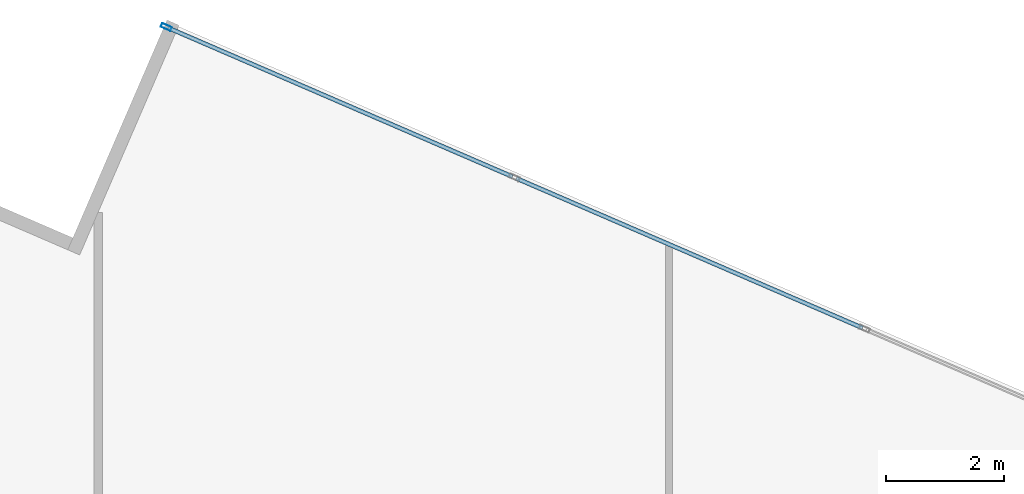
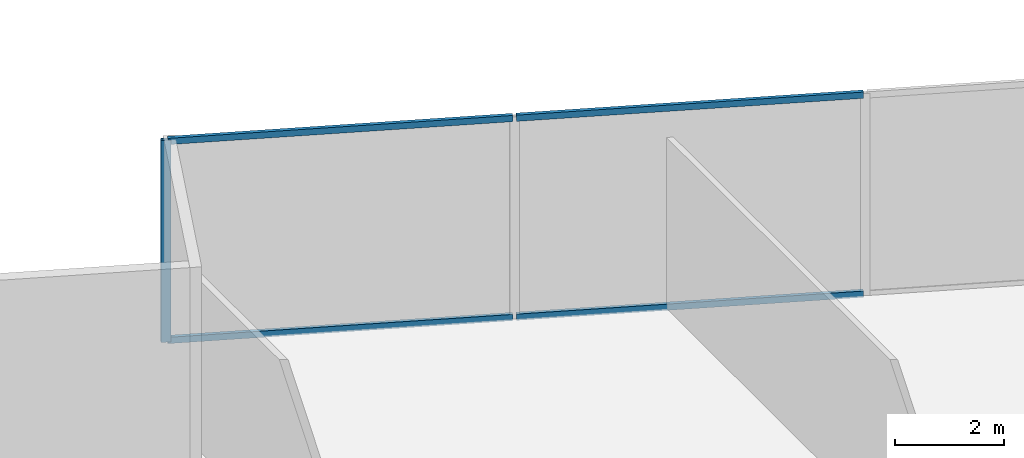
# One storey, part 15 of 24: 5 members, 1 element without a shape of its own.
"""IFC4 building model written with IfcOpenShell, lengths in metres."""

from ifc_helpers import new_model, si_unit, direction, frame, origin, origin_2d, place, context, subcontext, project, spatial, hollow_rectangle, extrude, source, transform, mapped, material, material_profile, profile_set, type_object, type_shapes, element, aggregate, save


model = new_model("IFC4")

# Units and contexts
model_context = context("Model", 3, precision=1e-05, world=origin(), true_north=direction((0.0, 1.0)))
body_context = subcontext(model_context, "Body", "Model", "MODEL_VIEW")
ifc_project = project(units=[si_unit("LENGTHUNIT", "METRE"), si_unit("AREAUNIT", "SQUARE_METRE"), si_unit("VOLUMEUNIT", "CUBIC_METRE"), si_unit("PLANEANGLEUNIT", "RADIAN"), si_unit("MASSUNIT", "GRAM", prefix="KILO")], contexts=[model_context])

# Site, building, storey
site_placement = place(None, origin())
site = spatial("IfcSite", under=ifc_project, at=site_placement, CompositionType="ELEMENT")
building_placement = place(site_placement, origin())
building = spatial("IfcBuilding", under=site, at=building_placement, Name="Krantzveldt Concourse Tower", CompositionType="ELEMENT")
storey_placement = place(building_placement, frame((0.0, 0.0, 141.39990234375)))
storey = spatial("IfcBuildingStorey", under=building, at=storey_placement, Name="L34", CompositionType="ELEMENT", Elevation=141.39990234375)

# Curtain wall, members
ifc_material = material(Name="Anodised aluminium 6063-T6", Category="aluminium")
curtain_wall_type = type_object("IfcCurtainWallType", Name="CW5", PredefinedType="USERDEFINED", material=ifc_material)
curtain_wall_placement = place(storey_placement, origin())
curtain_wall = element("IfcCurtainWall", 1, at=curtain_wall_placement, inside=storey, type_object=curtain_wall_type, Name="CW-L34-F10", ObjectType="UNITISED CURTAIN WALL", PredefinedType="USERDEFINED")
ifc_material_profile_1 = material_profile(ifc_material, hollow_rectangle(XDim=0.070068359375, YDim=0.139892578125, WallThickness=0.0048828125, at=origin_2d()), Name="Anodised aluminium 6063-T6", Category="aluminium")
ifc_profile_set_1 = profile_set([ifc_material_profile_1], Name="Anodised aluminium 6063-T6 - ALU-TRAN 140x70x5")
member_type_1 = type_object("IfcMemberType", Name="CW-TRN-150", PredefinedType="USERDEFINED", material=ifc_profile_set_1)
shared_shape_1 = source(origin(), body_context, "Body", "SweptSolid", [
    extrude(hollow_rectangle(XDim=0.070068359375, YDim=0.139892578125, WallThickness=0.0048828125, at=origin_2d()), origin(), (0.0, 0.0, 1.0), 6.396484375),
])
member_1_placement = place(storey_placement, frame((39.280029296875, 50.676513671875, 0.03515625), z_axis=(-0.91792654531, 0.396750371663, 0.0), x_axis=(-0.396750371663, -0.91792654531, 0.0)))
member_1 = element("IfcMember", 2, at=member_1_placement, type_object=member_type_1, Name="CW-SKY transom 5.1", ObjectType="TRANSOM", PredefinedType="USERDEFINED", context=body_context, shape_type="MappedRepresentation", body=[
    mapped(shared_shape_1, transform((0.0, 0.0, 0.0), x_axis=(1.0, 0.0, 0.0), y_axis=(0.0, 1.0, 0.0), z_axis=(0.0, 0.0, 1.0), scale=1.0)),
])
member_2_placement = place(storey_placement, frame((39.280029296875, 50.676513671875, 4.485107421875), z_axis=(-0.91792654531, 0.396750371663, 0.0), x_axis=(-0.396750371663, -0.91792654531, 0.0)))
member_2 = element("IfcMember", 3, at=member_2_placement, type_object=member_type_1, Name="CW-SKY transom 5.2", ObjectType="TRANSOM", PredefinedType="USERDEFINED", context=body_context, shape_type="MappedRepresentation", body=[
    mapped(shared_shape_1, transform((0.0, 0.0, 0.0), x_axis=(1.0, 0.0, 0.0), y_axis=(0.0, 1.0, 0.0), z_axis=(0.0, 0.0, 1.0), scale=1.0)),
])
shared_shape_2 = source(origin(), body_context, "Body", "SweptSolid", [
    extrude(hollow_rectangle(XDim=0.070068359375, YDim=0.139892578125, WallThickness=0.0048828125, at=origin_2d()), origin(), (0.0, 0.0, 1.0), 6.36181640625),
])
type_shapes(member_type_1, [shared_shape_1, shared_shape_2])
member_3_placement = place(storey_placement, frame((33.34423828125, 53.241943359375, 0.03515625), z_axis=(-0.917917860148, 0.396770465156, 0.0), x_axis=(-0.396770465156, -0.917917860148, 0.0)))
member_3 = element("IfcMember", 4, at=member_3_placement, type_object=member_type_1, Name="CW-SKY transom 6.1", ObjectType="TRANSOM", PredefinedType="USERDEFINED", context=body_context, shape_type="MappedRepresentation", body=[
    mapped(shared_shape_2, transform((0.0, 0.0, 0.0), x_axis=(1.0, 0.0, 0.0), y_axis=(0.0, 1.0, 0.0), z_axis=(0.0, 0.0, 1.0), scale=1.0)),
])
member_4_placement = place(storey_placement, frame((33.34423828125, 53.241943359375, 4.485107421875), z_axis=(-0.917917860148, 0.396770465156, 0.0), x_axis=(-0.396770465156, -0.917917860148, 0.0)))
member_4 = element("IfcMember", 5, at=member_4_placement, type_object=member_type_1, Name="CW-SKY transom 6.2", ObjectType="TRANSOM", PredefinedType="USERDEFINED", context=body_context, shape_type="MappedRepresentation", body=[
    mapped(shared_shape_2, transform((0.0, 0.0, 0.0), x_axis=(1.0, 0.0, 0.0), y_axis=(0.0, 1.0, 0.0), z_axis=(0.0, 0.0, 1.0), scale=1.0)),
])
ifc_material_profile_2 = material_profile(ifc_material, hollow_rectangle(XDim=0.070068359375, YDim=0.179931640625, WallThickness=0.0048828125, at=origin_2d()), Name="Anodised aluminium 6063-T6", Category="aluminium")
ifc_profile_set_2 = profile_set([ifc_material_profile_2], Name="Anodised aluminium 6063-T6 - ALU-MULL 180x70x5")
member_type_2 = type_object("IfcMemberType", Name="CW-MUL-180", PredefinedType="MULLION", material=ifc_profile_set_2)
shared_shape_3 = source(origin(), body_context, "Body", "SweptSolid", [
    extrude(hollow_rectangle(XDim=0.070068359375, YDim=0.179931640625, WallThickness=0.0048828125, at=origin_2d()), origin(), (0.0, 0.0, 1.0), 4.52001953125),
])
type_shapes(member_type_2, [shared_shape_3])
member_5_placement = place(storey_placement, frame((27.472412109375, 55.780029296875, 0.0), z_axis=(0.0, 0.0, 1.0), x_axis=(-0.396747417177, -0.917927822306, 0.0)))
member_5 = element("IfcMember", 6, at=member_5_placement, type_object=member_type_2, Name="CW-SKY mullion 7", PredefinedType="MULLION", context=body_context, shape_type="MappedRepresentation", body=[
    mapped(shared_shape_3, transform((0.0, 0.0, 0.0), x_axis=(1.0, 0.0, 0.0), y_axis=(0.0, 1.0, 0.0), z_axis=(0.0, 0.0, 1.0), scale=1.0)),
])
aggregate(curtain_wall, [member_5, member_1, member_2, member_3, member_4])

save(model, "model.ifc")
